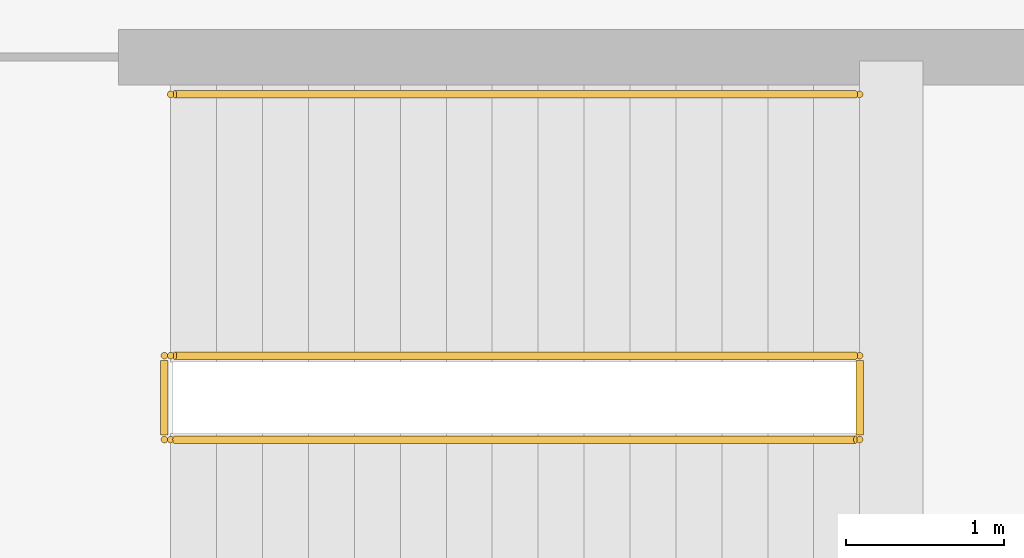
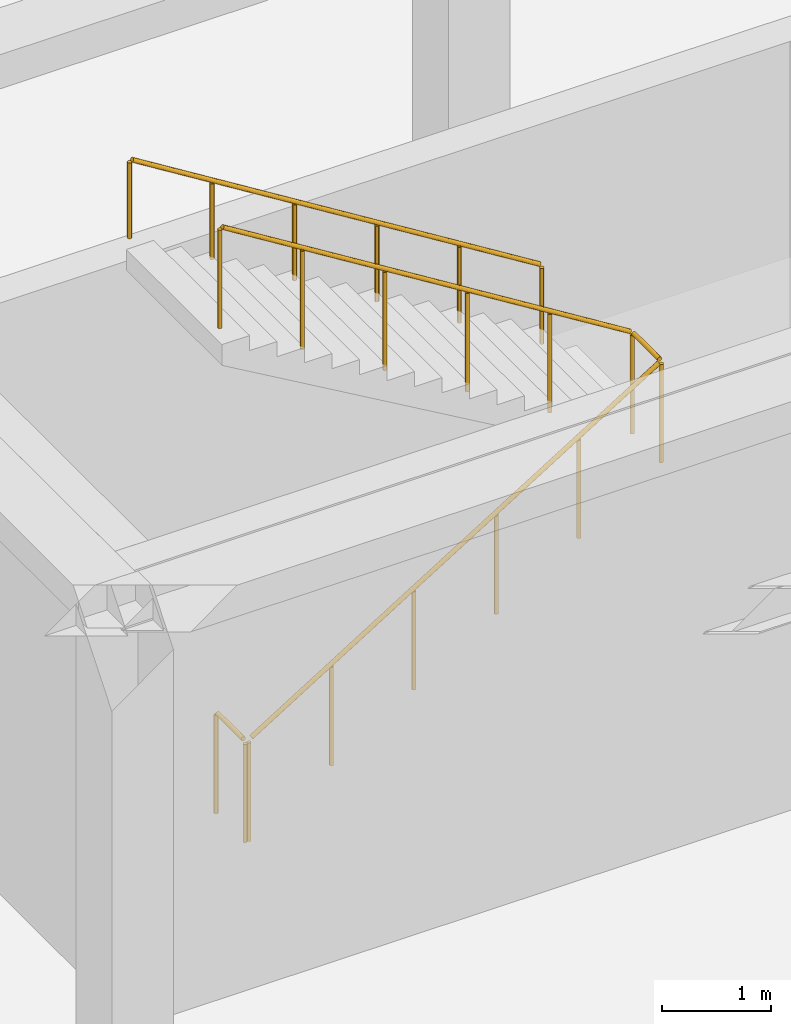
# One storey, part 94 of 96: 3 railings.
"""IFC4 building model written with IfcOpenShell, lengths in metres."""

from ifc_helpers import new_model, si_unit, direction, frame, origin, origin_2d, place, context, subcontext, project, spatial, circle, extrude, material, type_object, element, save


model = new_model("IFC4")

# Units and contexts
model_context = context("Model", 3, precision=1e-05, world=origin(), true_north=direction((0.0, 1.0)))
body_context = subcontext(model_context, "Body", "Model", "MODEL_VIEW")
ifc_project = project(units=[si_unit("LENGTHUNIT", "METRE"), si_unit("AREAUNIT", "SQUARE_METRE"), si_unit("VOLUMEUNIT", "CUBIC_METRE"), si_unit("PLANEANGLEUNIT", "RADIAN"), si_unit("MASSUNIT", "GRAM", prefix="KILO")], contexts=[model_context])

# Site, building, storey
site_placement = place(None, origin())
site = spatial("IfcSite", under=ifc_project, at=site_placement, CompositionType="ELEMENT")
building_placement = place(site_placement, origin())
building = spatial("IfcBuilding", under=site, at=building_placement, Name="Almacenes y Pasaje Nevantli", CompositionType="ELEMENT")
storey_placement = place(building_placement, frame((0.0, 0.0, 6.0)))
storey = spatial("IfcBuildingStorey", under=building, at=storey_placement, Name="L02", CompositionType="ELEMENT", Elevation=6.0)

# Railings
ifc_material_1 = material(Name="Brushed Stainless Steel and Tempered Safety Glass", Category="steel")
railing_type_1 = type_object("IfcRailingType", Name="RL-GUARD-1100", PredefinedType="BALUSTRADE", material=ifc_material_1)
railing_1_placement = place(storey_placement, frame((128.699951171875, 19.2099609375, 0.0)))
element("IfcRailing", 1, at=railing_1_placement, inside=storey, type_object=railing_type_1, Name="L02 Stair ST-06 Inner Well Guard Balustrade", PredefinedType="BALUSTRADE", context=body_context, shape_type="SweptSolid", body=[
    extrude(circle(Radius=0.02392578125, at=origin_2d()), frame((0.025390625, 0.0, 1.1416015625), z_axis=(0.849649743971, 0.0, 0.527347430608), x_axis=(0.0, 1.0, 0.0)), (0.0, 0.0, 1.0), 5.059814453125),
    extrude(circle(Radius=0.02392578125, at=origin_2d()), frame((4.35009765625, 0.030029296875, 3.82568359375), z_axis=(0.0, 1.0, 0.0), x_axis=(-1.0, 0.0, 0.0)), (0.0, 0.0, 1.0), 0.469970703125),
    extrude(circle(Radius=0.02392578125, at=origin_2d()), frame((4.32470703125, 0.530029296875, 3.841552734375), z_axis=(-0.849649743971, 0.0, 0.527347430608), x_axis=(0.0, -1.0, 0.0)), (0.0, 0.0, 1.0), 5.059814453125),
    extrude(circle(Radius=0.02099609375, at=origin_2d()), origin(), (0.0, 0.0, 1.0), 1.096923828125),
    extrude(circle(Radius=0.02099609375, at=origin_2d()), frame((0.8701171875, 0.0, 0.5400390625)), (0.0, 0.0, 1.0), 1.096923828125),
    extrude(circle(Radius=0.02099609375, at=origin_2d()), frame((1.739990234375, 0.0, 1.080078125)), (0.0, 0.0, 1.0), 1.096923828125),
    extrude(circle(Radius=0.02099609375, at=origin_2d()), frame((2.610107421875, 0.0, 1.619873046875)), (0.0, 0.0, 1.0), 1.096923828125),
    extrude(circle(Radius=0.02099609375, at=origin_2d()), frame((3.47998046875, 0.0, 2.159912109375)), (0.0, 0.0, 1.0), 1.096923828125),
    extrude(circle(Radius=0.02099609375, at=origin_2d()), frame((4.35009765625, 0.0, 2.699951171875)), (0.0, 0.0, 1.0), 1.096923828125),
    extrude(circle(Radius=0.02099609375, at=origin_2d()), frame((4.35009765625, 0.530029296875, 2.699951171875)), (0.0, 0.0, 1.0), 1.096923828125),
    extrude(circle(Radius=0.02099609375, at=origin_2d()), frame((3.47998046875, 0.530029296875, 3.239990234375)), (0.0, 0.0, 1.0), 1.096923828125),
    extrude(circle(Radius=0.02099609375, at=origin_2d()), frame((2.610107421875, 0.530029296875, 3.780029296875)), (0.0, 0.0, 1.0), 1.096923828125),
    extrude(circle(Radius=0.02099609375, at=origin_2d()), frame((1.739990234375, 0.530029296875, 4.31982421875)), (0.0, 0.0, 1.0), 1.096923828125),
    extrude(circle(Radius=0.02099609375, at=origin_2d()), frame((0.8701171875, 0.530029296875, 4.85986328125)), (0.0, 0.0, 1.0), 1.096923828125),
    extrude(circle(Radius=0.02099609375, at=origin_2d()), frame((0.0, 0.530029296875, 5.39990234375)), (0.0, 0.0, 1.0), 1.096923828125),
])
railing_2_placement = place(storey_placement, frame((128.659912109375, 19.2099609375, 0.0)))
element("IfcRailing", 2, at=railing_2_placement, inside=storey, type_object=railing_type_1, Name="L02 Stair ST-06 Landing Well Slot Guard", PredefinedType="BALUSTRADE", context=body_context, shape_type="SweptSolid", body=[
    extrude(circle(Radius=0.02392578125, at=origin_2d()), frame((0.0, 0.030029296875, 1.1259765625), z_axis=(0.0, 1.0, 0.0), x_axis=(-1.0, 0.0, 0.0)), (0.0, 0.0, 1.0), 0.469970703125),
    extrude(circle(Radius=0.02099609375, at=origin_2d()), origin(), (0.0, 0.0, 1.0), 1.096923828125),
    extrude(circle(Radius=0.02099609375, at=origin_2d()), frame((0.0, 0.530029296875, 0.0)), (0.0, 0.0, 1.0), 1.096923828125),
])
ifc_material_2 = material(Name="Brushed Stainless Steel Tube", Category="steel")
railing_type_2 = type_object("IfcRailingType", Name="RL-HANDRAIL-900", PredefinedType="HANDRAIL", material=ifc_material_2)
railing_3_placement = place(storey_placement, frame((133.050048828125, 21.389892578125, 2.699951171875)))
element("IfcRailing", 3, at=railing_3_placement, inside=storey, type_object=railing_type_2, Name="L02 Stair ST-06 Upper Flight Handrail", PredefinedType="HANDRAIL", context=body_context, shape_type="SweptSolid", body=[
    extrude(circle(Radius=0.02392578125, at=origin_2d()), frame((-0.025390625, 0.0, 0.8916015625), z_axis=(-0.849649743971, 0.0, 0.527347430608), x_axis=(0.0, -1.0, 0.0)), (0.0, 0.0, 1.0), 5.059814453125),
    extrude(circle(Radius=0.02099609375, at=origin_2d()), origin(), (0.0, 0.0, 1.0), 0.846923828125),
    extrude(circle(Radius=0.02099609375, at=origin_2d()), frame((-0.8701171875, 0.0, 0.5400390625)), (0.0, 0.0, 1.0), 0.846923828125),
    extrude(circle(Radius=0.02099609375, at=origin_2d()), frame((-1.739990234375, 0.0, 1.080078125)), (0.0, 0.0, 1.0), 0.846923828125),
    extrude(circle(Radius=0.02099609375, at=origin_2d()), frame((-2.610107421875, 0.0, 1.619873046875)), (0.0, 0.0, 1.0), 0.846923828125),
    extrude(circle(Radius=0.02099609375, at=origin_2d()), frame((-3.47998046875, 0.0, 2.159912109375)), (0.0, 0.0, 1.0), 0.846923828125),
    extrude(circle(Radius=0.02099609375, at=origin_2d()), frame((-4.35009765625, 0.0, 2.699951171875)), (0.0, 0.0, 1.0), 0.846923828125),
])

save(model, "model.ifc")
